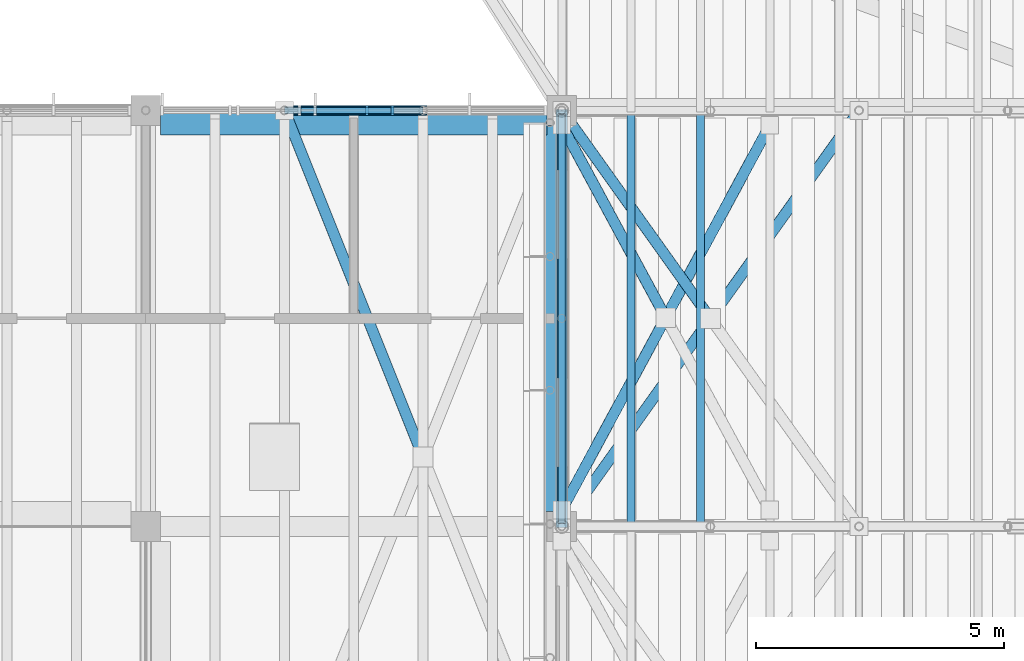
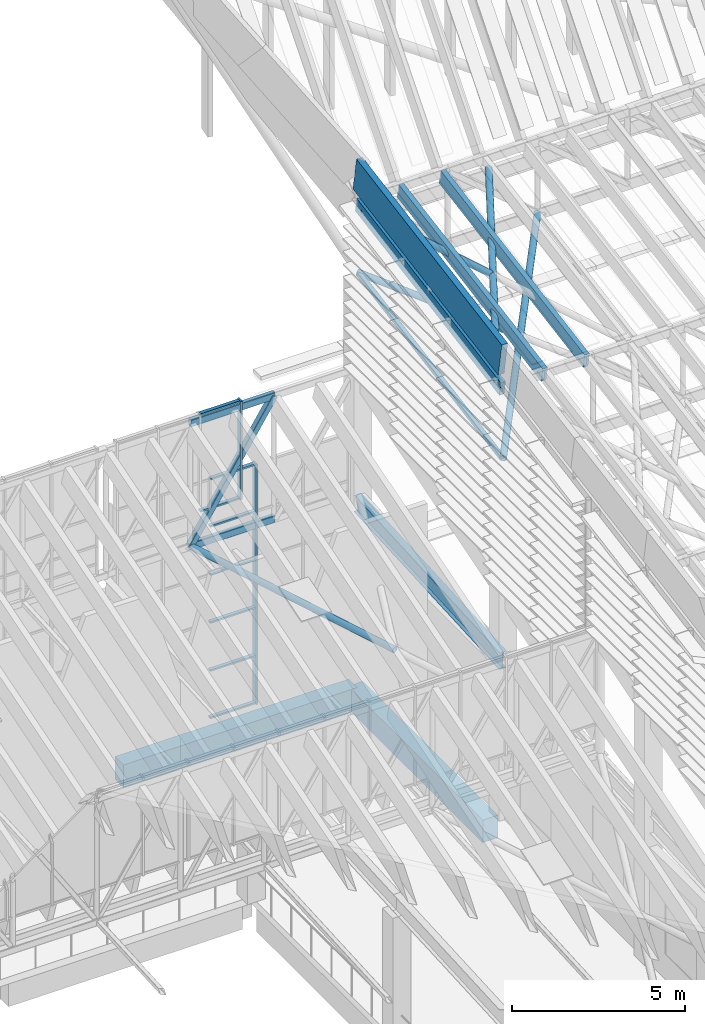
# One storey, part 37 of 91: 22 members, 4 beams, 2 elements without a shape of their own.
"""IFC4 building model written with IfcOpenShell, lengths in metres."""

from ifc_helpers import new_model, si_unit, direction, frame, origin, origin_2d, place, context, subcontext, project, spatial, rectangle, hollow_rectangle, hollow_circle, i_section, extrude, material, material_profile, profile_set, type_object, element, aggregate, save


model = new_model("IFC4")

# Units and contexts
model_context = context("Model", 3, precision=1e-05, world=origin(), true_north=direction((0.0, 1.0)))
body_context = subcontext(model_context, "Body", "Model", "MODEL_VIEW")
ifc_project = project(units=[si_unit("LENGTHUNIT", "METRE"), si_unit("AREAUNIT", "SQUARE_METRE"), si_unit("VOLUMEUNIT", "CUBIC_METRE"), si_unit("PLANEANGLEUNIT", "RADIAN"), si_unit("MASSUNIT", "GRAM", prefix="KILO")], contexts=[model_context])

# Site, building, storey
site_placement = place(None, origin())
site = spatial("IfcSite", under=ifc_project, at=site_placement, CompositionType="ELEMENT")
building_placement = place(site_placement, origin())
building = spatial("IfcBuilding", under=site, at=building_placement, Name="Almond Square Museum", CompositionType="ELEMENT")
storey_placement = place(building_placement, frame((0.0, 0.0, 30.0)))
storey = spatial("IfcBuildingStorey", under=building, at=storey_placement, Name="L05", CompositionType="ELEMENT", Elevation=30.0)

# Curtain wall, member
ifc_material_1 = material(Name="Aluminium and laminated glass", Category="aluminium")
curtain_wall_type = type_object("IfcCurtainWallType", Name="Unitised curtain wall 1500 module", PredefinedType="NOTDEFINED", material=ifc_material_1)
curtain_wall_1_placement = place(storey_placement, origin())
curtain_wall_1 = element("IfcCurtainWall", 1, at=curtain_wall_1_placement, inside=storey, type_object=curtain_wall_type, Name="Curtain wall CW-53", PredefinedType="NOTDEFINED")
ifc_material_2 = material(Name="Anodised aluminium", Category="aluminium")
ifc_material_profile_1 = material_profile(ifc_material_2, rectangle(XDim=0.199951171875, YDim=0.06005859375, at=origin_2d()))
ifc_profile_set_1 = profile_set([ifc_material_profile_1], Name="Anodised aluminium")
member_type_1 = type_object("IfcMemberType", Name="Aluminium mullion 60 x 200", PredefinedType="MULLION", material=ifc_profile_set_1)
member_1_placement = place(storey_placement, frame((103.3798828125, 109.199951171875, 0.0), z_axis=(0.0, 0.0, 1.0), x_axis=(0.0, 1.0, 0.0)))
member_1 = element("IfcMember", 2, at=member_1_placement, type_object=member_type_1, Name="CW-53 mullion 4", PredefinedType="MULLION", context=body_context, shape_type="SweptSolid", body=[
    extrude(rectangle(XDim=0.199951171875, YDim=0.06005859375, at=origin_2d()), origin(), (0.0, 0.0, 1.0), 8.480224609375),
])

curtain_wall_2_placement = place(storey_placement, origin())
curtain_wall_2 = element("IfcCurtainWall", 3, at=curtain_wall_2_placement, inside=storey, type_object=curtain_wall_type, Name="Rooflight glazing AG3", PredefinedType="NOTDEFINED")
member_2_placement = place(storey_placement, frame((102.8701171875, 109.199951171875, 7.39990234375), z_axis=(0.0, 0.0, 1.0), x_axis=(0.0, 1.0, 0.0)))
member_2 = element("IfcMember", 4, at=member_2_placement, type_object=member_type_1, Name="CW-60 mullion 4", PredefinedType="MULLION", context=body_context, shape_type="SweptSolid", body=[
    extrude(rectangle(XDim=0.199951171875, YDim=0.06005859375, at=origin_2d()), origin(), (0.0, 0.0, 1.0), 3.480224609375),
])

# Member
ifc_material_3 = material(Name="Anodised aluminium", Category="aluminium")
ifc_material_profile_2 = material_profile(ifc_material_3, rectangle(XDim=0.1201171875, YDim=0.06005859375, at=origin_2d()))
ifc_profile_set_2 = profile_set([ifc_material_profile_2], Name="Anodised aluminium")
member_type_2 = type_object("IfcMemberType", Name="Aluminium transom 60 x 120", PredefinedType="USERDEFINED", material=ifc_profile_set_2)
member_3_placement = place(storey_placement, frame((101.85009765625, 109.199951171875, 0.030029296875), z_axis=(1.0, 0.0, 0.0), x_axis=(0.0, 1.0, 0.0)))
member_3 = element("IfcMember", 5, at=member_3_placement, type_object=member_type_2, Name="CW-53 transom 3.1", ObjectType="TRANSOM", PredefinedType="USERDEFINED", context=body_context, shape_type="SweptSolid", body=[
    extrude(rectangle(XDim=0.1201171875, YDim=0.06005859375, at=origin_2d()), origin(), (0.0, 0.0, 1.0), 1.5),
])

member_4_placement = place(storey_placement, frame((101.85009765625, 109.199951171875, 1.696044921875), z_axis=(1.0, 0.0, 0.0), x_axis=(0.0, 1.0, 0.0)))
member_4 = element("IfcMember", 6, at=member_4_placement, type_object=member_type_2, Name="CW-53 transom 3.2", ObjectType="TRANSOM", PredefinedType="USERDEFINED", context=body_context, shape_type="SweptSolid", body=[
    extrude(rectangle(XDim=0.1201171875, YDim=0.06005859375, at=origin_2d()), origin(), (0.0, 0.0, 1.0), 1.5),
])

member_5_placement = place(storey_placement, frame((101.85009765625, 109.199951171875, 3.39208984375), z_axis=(1.0, 0.0, 0.0), x_axis=(0.0, 1.0, 0.0)))
member_5 = element("IfcMember", 7, at=member_5_placement, type_object=member_type_2, Name="CW-53 transom 3.3", ObjectType="TRANSOM", PredefinedType="USERDEFINED", context=body_context, shape_type="SweptSolid", body=[
    extrude(rectangle(XDim=0.1201171875, YDim=0.06005859375, at=origin_2d()), origin(), (0.0, 0.0, 1.0), 1.5),
])

member_6_placement = place(storey_placement, frame((101.85009765625, 109.199951171875, 5.088134765625), z_axis=(1.0, 0.0, 0.0), x_axis=(0.0, 1.0, 0.0)))
member_6 = element("IfcMember", 8, at=member_6_placement, type_object=member_type_2, Name="CW-53 transom 3.4", ObjectType="TRANSOM", PredefinedType="USERDEFINED", context=body_context, shape_type="SweptSolid", body=[
    extrude(rectangle(XDim=0.1201171875, YDim=0.06005859375, at=origin_2d()), origin(), (0.0, 0.0, 1.0), 1.5),
])

member_7_placement = place(storey_placement, frame((101.85009765625, 109.199951171875, 6.7841796875), z_axis=(1.0, 0.0, 0.0), x_axis=(0.0, 1.0, 0.0)))
member_7 = element("IfcMember", 9, at=member_7_placement, type_object=member_type_2, Name="CW-53 transom 3.5", ObjectType="TRANSOM", PredefinedType="USERDEFINED", context=body_context, shape_type="SweptSolid", body=[
    extrude(rectangle(XDim=0.1201171875, YDim=0.06005859375, at=origin_2d()), origin(), (0.0, 0.0, 1.0), 1.5),
])

member_8_placement = place(storey_placement, frame((101.85009765625, 109.199951171875, 8.4501953125), z_axis=(1.0, 0.0, 0.0), x_axis=(0.0, 1.0, 0.0)))
member_8 = element("IfcMember", 10, at=member_8_placement, type_object=member_type_2, Name="CW-53 transom 3.6", ObjectType="TRANSOM", PredefinedType="USERDEFINED", context=body_context, shape_type="SweptSolid", body=[
    extrude(rectangle(XDim=0.1201171875, YDim=0.06005859375, at=origin_2d()), origin(), (0.0, 0.0, 1.0), 1.5),
])

aggregate(curtain_wall_1, [member_1, member_3, member_4, member_5, member_6, member_7, member_8])

member_9_placement = place(storey_placement, frame((101.530029296875, 109.199951171875, 7.429931640625), z_axis=(1.0, 0.0, 0.0), x_axis=(0.0, 1.0, 0.0)))
member_9 = element("IfcMember", 11, at=member_9_placement, type_object=member_type_2, Name="CW-60 transom 3.1", ObjectType="TRANSOM", PredefinedType="USERDEFINED", context=body_context, shape_type="SweptSolid", body=[
    extrude(rectangle(XDim=0.1201171875, YDim=0.06005859375, at=origin_2d()), origin(), (0.0, 0.0, 1.0), 1.31005859375),
])

member_10_placement = place(storey_placement, frame((101.530029296875, 109.199951171875, 10.850341796875), z_axis=(1.0, 0.0, 0.0), x_axis=(0.0, 1.0, 0.0)))
member_10 = element("IfcMember", 12, at=member_10_placement, type_object=member_type_2, Name="CW-60 transom 3.2", ObjectType="TRANSOM", PredefinedType="USERDEFINED", context=body_context, shape_type="SweptSolid", body=[
    extrude(rectangle(XDim=0.1201171875, YDim=0.06005859375, at=origin_2d()), origin(), (0.0, 0.0, 1.0), 1.31005859375),
])

aggregate(curtain_wall_2, [member_2, member_9, member_10])

# Beam
ifc_material_4 = material(Name="Structural steel S355", Category="steel")
ifc_material_profile_3 = material_profile(ifc_material_4, i_section(OverallWidth=0.22802734375, OverallDepth=0.60693359375, WebThickness=0.01123046875, FlangeThickness=0.017333984375, at=origin_2d()))
ifc_profile_set_3 = profile_set([ifc_material_profile_3], Name="Structural steel S355")
beam_type_1 = type_object("IfcBeamType", Name="Girder W610x113", PredefinedType="BEAM", material=ifc_profile_set_3)
beam_1_placement = place(storey_placement, frame((106.800048828125, 100.800048828125, 5.396728515625), z_axis=(0.0, 0.998371428865, 0.0570481378), x_axis=(-1.0, 0.0, 0.0)))
element("IfcBeam", 13, at=beam_1_placement, inside=storey, type_object=beam_type_1, Name="Atrium roof girder 4.4", PredefinedType="BEAM", context=body_context, shape_type="SweptSolid", body=[
    extrude(i_section(OverallWidth=0.22802734375, OverallDepth=0.60693359375, WebThickness=0.01123046875, FlangeThickness=0.017333984375, at=origin_2d()), origin(), (0.0, 0.0, 1.0), 8.41357421875),
])

# Members
ifc_material_5 = material(Name="Glulam GL28h", Category="wood")
ifc_material_profile_4 = material_profile(ifc_material_5, rectangle(XDim=0.159912109375, YDim=0.5, at=origin_2d()))
ifc_profile_set_4 = profile_set([ifc_material_profile_4], Name="Glulam GL28h")
member_type_3 = type_object("IfcMemberType", Name="Glulam rafter GL28h 160x500", PredefinedType="RAFTER", material=ifc_profile_set_4)
for number, where, z_axis, x_axis, name in (
    (14, (106.800048828125, 100.830078125, 14.969970703125), (0.0, 0.985030957185, 0.172377531562), (-1.0, 0.0, 0.0), "Hall rafter 7.1"),
    (15, (108.199951171875, 100.830078125, 14.969970703125), (0.0, 0.985030957185, 0.172377531562), (-1.0, 0.0, 0.0), "Hall rafter 7.2"),
    (16, (109.60009765625, 100.830078125, 14.969970703125), (0.0, 0.985030957185, 0.172377531562), (-1.0, 0.0, 0.0), "Hall rafter 7.3"),
):
    element("IfcMember", number, at=place(storey_placement, frame(where, z_axis=z_axis, x_axis=x_axis)), inside=storey, type_object=member_type_3, Name=name, PredefinedType="RAFTER", context=body_context, shape_type="SweptSolid", body=[
        extrude(rectangle(XDim=0.159912109375, YDim=0.5, at=origin_2d()), origin(), (0.0, 0.0, 1.0), 8.459716796875),
    ])

# Beams
ifc_material_6 = material(Name="Concrete C40/50", Category="concrete")
ifc_material_profile_5 = material_profile(ifc_material_6, rectangle(XDim=0.5, YDim=0.800048828125, at=origin_2d()))
ifc_profile_set_5 = profile_set([ifc_material_profile_5], Name="Concrete C40/50")
beam_type_2 = type_object("IfcBeamType", Name="RC edge beam 500 x 800 C40/50", PredefinedType="BEAM", material=ifc_profile_set_5)
beam_2_placement = place(storey_placement, frame((98.699951171875, 108.949951171875, -0.64990234375), z_axis=(1.0, 0.0, 0.0), x_axis=(0.0, 1.0, 0.0)))
element("IfcBeam", 17, at=beam_2_placement, inside=storey, type_object=beam_type_2, Name="Edge beam N 13-14 L05", PredefinedType="BEAM", context=body_context, shape_type="SweptSolid", body=[
    extrude(rectangle(XDim=0.5, YDim=0.800048828125, at=origin_2d()), origin(), (0.0, 0.0, 1.0), 7.800048828125),
])
beam_3_placement = place(storey_placement, frame((106.550048828125, 101.10009765625, -0.64990234375), z_axis=(0.0, 1.0, 0.0), x_axis=(-1.0, 0.0, 0.0)))
element("IfcBeam", 18, at=beam_3_placement, inside=storey, type_object=beam_type_2, Name="Edge beam 14 M-N L05", PredefinedType="BEAM", context=body_context, shape_type="SweptSolid", body=[
    extrude(rectangle(XDim=0.5, YDim=0.800048828125, at=origin_2d()), origin(), (0.0, 0.0, 1.0), 7.7998046875),
])
ifc_material_7 = material(Name="Glulam GL28h", Category="wood")
ifc_material_profile_6 = material_profile(ifc_material_7, rectangle(XDim=0.199951171875, YDim=1.199951171875, at=origin_2d()))
ifc_profile_set_6 = profile_set([ifc_material_profile_6], Name="Glulam GL28h")
beam_type_3 = type_object("IfcBeamType", Name="Rake fascia beam GL28h 200x1200", PredefinedType="BEAM", material=ifc_profile_set_6)
beam_4_placement = place(storey_placement, frame((106.800048828125, 100.800048828125, 16.02001953125), z_axis=(0.0, 0.98503071022, 0.172378942807), x_axis=(-1.0, 0.0, 0.0)))
element("IfcBeam", 19, at=beam_4_placement, inside=storey, type_object=beam_type_3, Name="Gable rake fascia W 13 to 14", PredefinedType="BEAM", context=body_context, shape_type="SweptSolid", body=[
    extrude(rectangle(XDim=0.199951171875, YDim=1.199951171875, at=origin_2d()), origin(), (0.0, 0.0, 1.0), 8.527587890625),
])

# Members
ifc_material_8 = material(Name="Structural steel S355", Category="steel")
ifc_material_profile_7 = material_profile(ifc_material_8, hollow_circle(Radius=0.109619140625, WallThickness=0.010009765625, at=origin_2d()))
ifc_profile_set_7 = profile_set([ifc_material_profile_7], Name="Structural steel S355")
member_type_4 = type_object("IfcMemberType", Name="Roof brace CHS 219.1x10", PredefinedType="BRACE", material=ifc_profile_set_7)
member_11_placement = place(storey_placement, frame((106.800048828125, 100.800048828125, 12.52001953125), z_axis=(0.575437525573, 0.805603169958, 0.140979384012), x_axis=(-0.813730275137, 0.581242668191, 0.0)))
element("IfcMember", 20, at=member_11_placement, inside=storey, type_object=member_type_4, Name="Hall bay 7 plan brace", PredefinedType="BRACE", context=body_context, shape_type="SweptSolid", body=[
    extrude(hollow_circle(Radius=0.109619140625, WallThickness=0.010009765625, at=origin_2d()), origin(), (0.0, 0.0, 1.0), 10.4267578125),
])
member_12_placement = place(storey_placement, frame((106.800048828125, 101.1298828125, 15.0224609375), z_axis=(0.469976234264, 0.869468327134, 0.152141931559), x_axis=(-0.879709326121, 0.475511831121, 0.0)))
element("IfcMember", 21, at=member_12_placement, inside=storey, type_object=member_type_4, Name="Hall roof plane brace 7", PredefinedType="BRACE", context=body_context, shape_type="SweptSolid", body=[
    extrude(hollow_circle(Radius=0.109619140625, WallThickness=0.010009765625, at=origin_2d()), origin(), (0.0, 0.0, 1.0), 8.9365234375),
])
member_13_placement = place(storey_placement, frame((104.0, 102.199951171875, 5.9052734375), z_axis=(-0.370874891975, 0.927171061358, 0.052968268642), x_axis=(-0.928474457584, -0.371396259558, 0.0)))
element("IfcMember", 22, at=member_13_placement, inside=storey, type_object=member_type_4, Name="Atrium bay 2 plan brace", PredefinedType="BRACE", context=body_context, shape_type="SweptSolid", body=[
    extrude(hollow_circle(Radius=0.109619140625, WallThickness=0.010009765625, at=origin_2d()), origin(), (0.0, 0.0, 1.0), 7.5498046875),
])
member_14_placement = place(storey_placement, frame((109.800048828125, 105.0, 13.2548828125), z_axis=(-0.575435625919, 0.805600510472, 0.141002333141), x_axis=(-0.813730275137, -0.581242668191, 0.0)))
element("IfcMember", 23, at=member_14_placement, inside=storey, type_object=member_type_4, Name="Hall bay 7 plan brace", PredefinedType="BRACE", context=body_context, shape_type="SweptSolid", body=[
    extrude(hollow_circle(Radius=0.109619140625, WallThickness=0.010009765625, at=origin_2d()), origin(), (0.0, 0.0, 1.0), 5.21337890625),
])
member_15_placement = place(storey_placement, frame((108.89990234375, 105.014892578125, 15.702392578125), z_axis=(-0.469956901895, 0.869483104273, 0.152117197404), x_axis=(-0.87972088867, -0.47549043948, 0.0)))
element("IfcMember", 24, at=member_15_placement, inside=storey, type_object=member_type_4, Name="Hall roof plane brace 7", PredefinedType="BRACE", context=body_context, shape_type="SweptSolid", body=[
    extrude(hollow_circle(Radius=0.109619140625, WallThickness=0.010009765625, at=origin_2d()), origin(), (0.0, 0.0, 1.0), 4.46826171875),
])
ifc_material_9 = material(Name="Structural steel S355", Category="steel")
ifc_material_profile_8 = material_profile(ifc_material_9, hollow_rectangle(XDim=0.14990234375, YDim=0.25, WallThickness=0.010009765625, InnerFilletRadius=0.014892578125, OuterFilletRadius=0.02490234375, at=origin_2d()))
ifc_profile_set_8 = profile_set([ifc_material_profile_8], Name="Structural steel S355")
member_type_5 = type_object("IfcMemberType", Name="Truss chord RHS 250x150x10", PredefinedType="CHORD", material=ifc_profile_set_8)
for number, where, z_axis, x_axis, name in (
    (25, (101.199951171875, 109.199951171875, 10.650634765625), (1.0, 0.0, 0.0), (0.0, 1.0, 0.0), "TR-12 top chord 11"),
    (26, (101.199951171875, 109.199951171875, 6.30517578125), (1.0, 0.0, 0.0), (0.0, 1.0, 0.0), "TR-12 bottom chord 11"),
):
    element("IfcMember", number, at=place(storey_placement, frame(where, z_axis=z_axis, x_axis=x_axis)), inside=storey, type_object=member_type_5, Name=name, PredefinedType="CHORD", context=body_context, shape_type="SweptSolid", body=[
        extrude(hollow_rectangle(XDim=0.14990234375, YDim=0.25, WallThickness=0.010009765625, InnerFilletRadius=0.014892578125, OuterFilletRadius=0.02490234375, at=origin_2d()), origin(), (0.0, 0.0, 1.0), 2.800048828125),
    ])
ifc_material_10 = material(Name="Structural steel S355", Category="steel")
ifc_material_profile_9 = material_profile(ifc_material_10, hollow_rectangle(XDim=0.199951171875, YDim=0.199951171875, WallThickness=0.010009765625, InnerFilletRadius=0.014892578125, OuterFilletRadius=0.02490234375, at=origin_2d()))
ifc_profile_set_9 = profile_set([ifc_material_profile_9], Name="Structural steel S355")
member_type_6 = type_object("IfcMemberType", Name="Truss diagonal SHS 200x200x10", PredefinedType="BRACE", material=ifc_profile_set_9)
member_16_placement = place(storey_placement, frame((101.199951171875, 109.199951171875, 6.30517578125), z_axis=(0.541652391523, 0.0, 0.840602573609), x_axis=(0.0, 1.0, 0.0)))
element("IfcMember", 27, at=member_16_placement, inside=storey, type_object=member_type_6, Name="TR-12 diagonal 11", PredefinedType="BRACE", context=body_context, shape_type="SweptSolid", body=[
    extrude(hollow_rectangle(XDim=0.199951171875, YDim=0.199951171875, WallThickness=0.010009765625, InnerFilletRadius=0.014892578125, OuterFilletRadius=0.02490234375, at=origin_2d()), origin(), (0.0, 0.0, 1.0), 5.16943359375),
])
ifc_material_11 = material(Name="Structural steel S355", Category="steel")
ifc_material_profile_10 = material_profile(ifc_material_11, hollow_rectangle(XDim=0.14990234375, YDim=0.14990234375, WallThickness=0.008056640625, InnerFilletRadius=0.011962890625, OuterFilletRadius=0.02001953125, at=origin_2d()))
ifc_profile_set_10 = profile_set([ifc_material_profile_10], Name="Structural steel S355")
member_type_7 = type_object("IfcMemberType", Name="Truss tie SHS 150x150x8", PredefinedType="MEMBER", material=ifc_profile_set_10)
member_17_placement = place(storey_placement, frame((106.800048828125, 100.875, 12.52001953125), z_axis=(0.0, 0.984494486924, 0.175415521596), x_axis=(-1.0, 0.0, 0.0)))
element("IfcMember", 28, at=member_17_placement, inside=storey, type_object=member_type_7, Name="Hall bay 7 tie 1", PredefinedType="MEMBER", context=body_context, shape_type="SweptSolid", body=[
    extrude(hollow_rectangle(XDim=0.14990234375, YDim=0.14990234375, WallThickness=0.008056640625, InnerFilletRadius=0.011962890625, OuterFilletRadius=0.02001953125, at=origin_2d()), origin(), (0.0, 0.0, 1.0), 8.3798828125),
])

save(model, "model.ifc")
